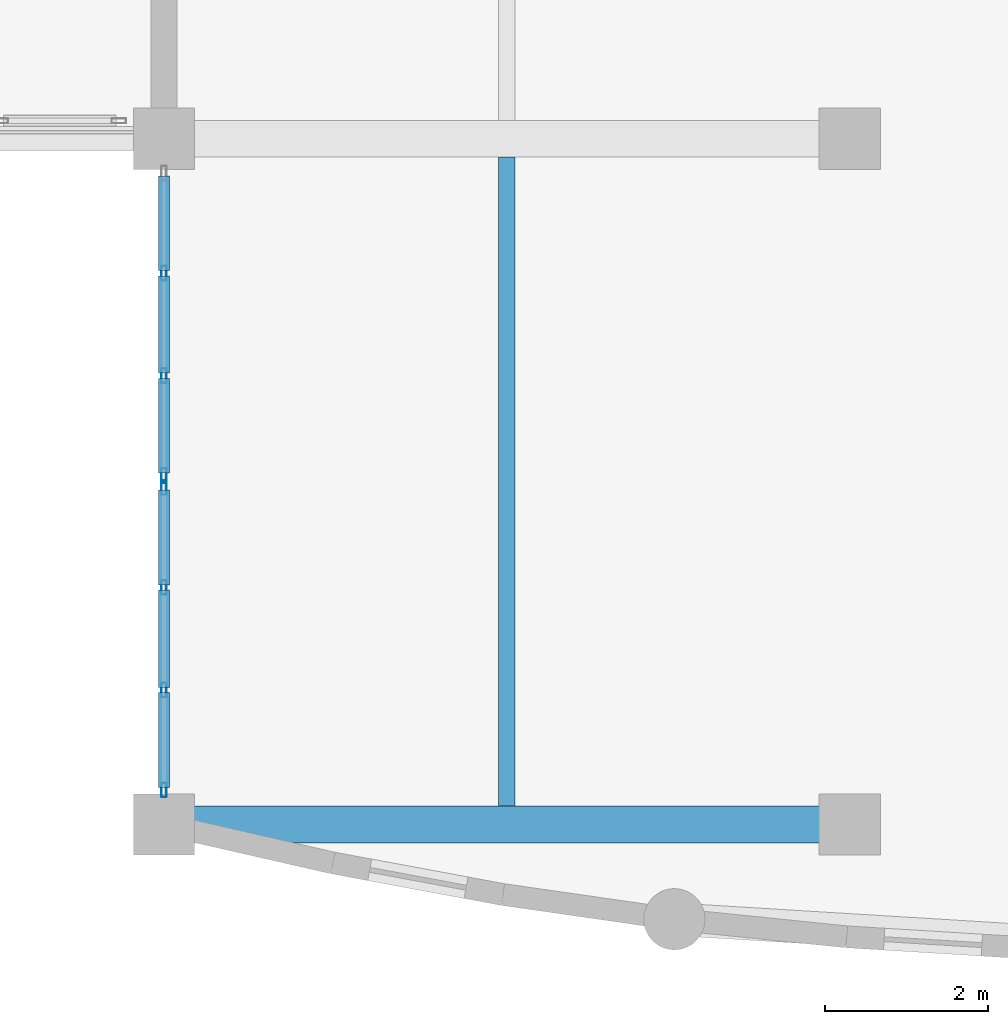
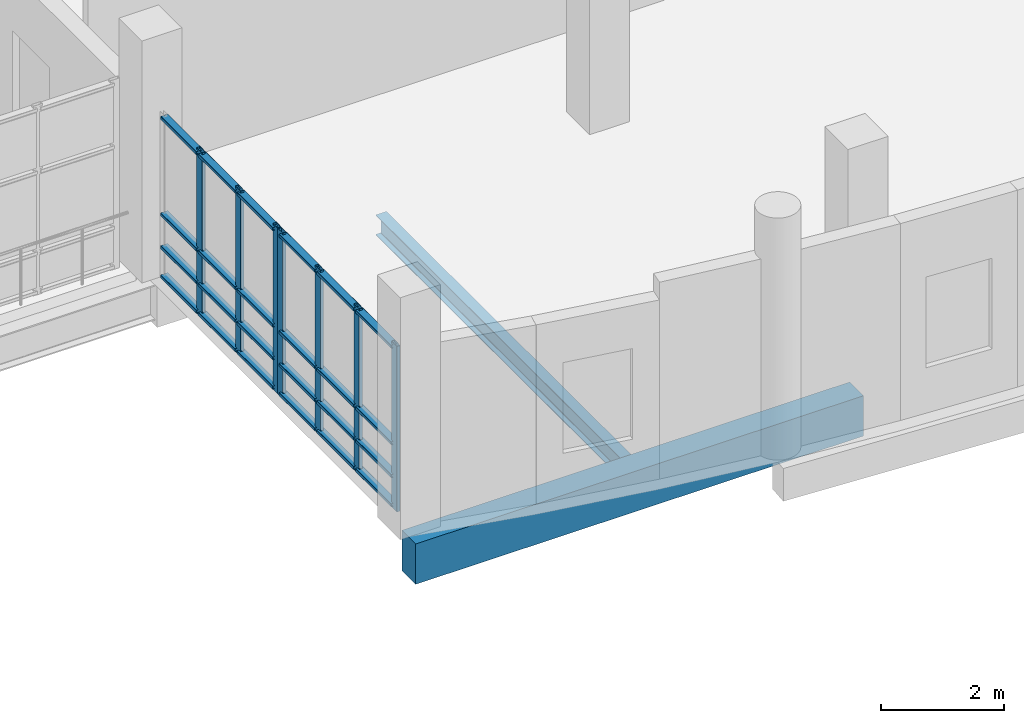
# One storey, part 32 of 106: 31 members, 2 beams, 2 elements without a shape of their own.
"""IFC4 building model written with IfcOpenShell, lengths in metres."""

from ifc_helpers import new_model, si_unit, direction, frame, origin, origin_2d, place, context, subcontext, project, spatial, rectangle, hollow_rectangle, i_section, extrude, material, layer, layer_set, material_profile, profile_set, type_object, element, aggregate, save


model = new_model("IFC4")

# Units and contexts
model_context = context("Model", 3, precision=1e-05, world=origin(), true_north=direction((0.0, 1.0)))
body_context = subcontext(model_context, "Body", "Model", "MODEL_VIEW")
ifc_project = project(units=[si_unit("LENGTHUNIT", "METRE"), si_unit("AREAUNIT", "SQUARE_METRE"), si_unit("VOLUMEUNIT", "CUBIC_METRE"), si_unit("PLANEANGLEUNIT", "RADIAN"), si_unit("MASSUNIT", "GRAM", prefix="KILO")], contexts=[model_context])

# Site, building, storey
site_placement = place(None, origin())
site = spatial("IfcSite", under=ifc_project, at=site_placement, CompositionType="ELEMENT")
building_placement = place(site_placement, origin())
building = spatial("IfcBuilding", under=site, at=building_placement, Name="Kisaragi Civic Commons", CompositionType="ELEMENT")
storey_placement = place(building_placement, frame((0.0, 0.0, 4.800048828125)))
storey = spatial("IfcBuildingStorey", under=building, at=storey_placement, Name="L01", CompositionType="ELEMENT", Elevation=4.800048828125)

# Curtain wall, members
ifc_material_1 = material(Name="Thermally broken anodized aluminium and low-E double glazing", Category="aluminium")
ifc_layer = layer(ifc_material_1, 0.179931640625, Name="Thermally broken anodized aluminium and low-E double glazing", Category="aluminium")
ifc_layer_set = layer_set([ifc_layer], Name="Thermally broken anodized aluminium and low-E double glazing")
curtain_wall_type = type_object("IfcCurtainWallType", Name="CW-01", PredefinedType="NOTDEFINED", material=ifc_layer_set)
curtain_wall_1_placement = place(storey_placement, origin())
curtain_wall_1 = element("IfcCurtainWall", 1, at=curtain_wall_1_placement, inside=storey, type_object=curtain_wall_type, Name="L01 curtain wall CW-01 CW-V4-L01-077", PredefinedType="NOTDEFINED")
ifc_material_profile_1 = material_profile(ifc_material_1, hollow_rectangle(XDim=0.06494140625, YDim=0.179931640625, WallThickness=0.00439453125, InnerFilletRadius=0.00439453125, OuterFilletRadius=0.009033203125, at=origin_2d()), Name="CWM-65x180x4.5", Category="aluminium")
ifc_profile_set_1 = profile_set([ifc_material_profile_1], Name="Thermally broken anodized aluminium and low-E double glazing")
member_type_1 = type_object("IfcMemberType", Name="CWM-02", PredefinedType="MULLION", material=ifc_profile_set_1)
member_1_placement = place(storey_placement, frame((72.0, 96.422607421875, 0.0), z_axis=(0.0, 0.0, 1.0), x_axis=(-1.0, 0.0, 0.0)))
member_1 = element("IfcMember", 2, at=member_1_placement, type_object=member_type_1, Name="CW-01 mullion 1", PredefinedType="MULLION", context=body_context, shape_type="SweptSolid", body=[
    extrude(hollow_rectangle(XDim=0.06494140625, YDim=0.179931640625, WallThickness=0.00439453125, InnerFilletRadius=0.00439453125, OuterFilletRadius=0.009033203125, at=origin_2d()), origin(), (0.0, 0.0, 1.0), 3.284912109375),
])
member_2_placement = place(storey_placement, frame((72.0, 97.646728515625, 0.0), z_axis=(0.0, 0.0, 1.0), x_axis=(-1.0, 0.0, 0.0)))
member_2 = element("IfcMember", 3, at=member_2_placement, type_object=member_type_1, Name="CW-01 mullion 2", PredefinedType="MULLION", context=body_context, shape_type="SweptSolid", body=[
    extrude(hollow_rectangle(XDim=0.06494140625, YDim=0.179931640625, WallThickness=0.00439453125, InnerFilletRadius=0.00439453125, OuterFilletRadius=0.009033203125, at=origin_2d()), origin(), (0.0, 0.0, 1.0), 3.284912109375),
])
member_3_placement = place(storey_placement, frame((72.0, 98.9033203125, 0.0), z_axis=(0.0, 0.0, 1.0), x_axis=(-1.0, 0.0, 0.0)))
member_3 = element("IfcMember", 4, at=member_3_placement, type_object=member_type_1, Name="CW-01 mullion 3", PredefinedType="MULLION", context=body_context, shape_type="SweptSolid", body=[
    extrude(hollow_rectangle(XDim=0.06494140625, YDim=0.179931640625, WallThickness=0.00439453125, InnerFilletRadius=0.00439453125, OuterFilletRadius=0.009033203125, at=origin_2d()), origin(), (0.0, 0.0, 1.0), 3.284912109375),
])
member_4_placement = place(storey_placement, frame((72.0, 100.12744140625, 0.0), z_axis=(0.0, 0.0, 1.0), x_axis=(-1.0, 0.0, 0.0)))
member_4 = element("IfcMember", 5, at=member_4_placement, type_object=member_type_1, Name="CW-01 mullion 4", PredefinedType="MULLION", context=body_context, shape_type="SweptSolid", body=[
    extrude(hollow_rectangle(XDim=0.06494140625, YDim=0.179931640625, WallThickness=0.00439453125, InnerFilletRadius=0.00439453125, OuterFilletRadius=0.009033203125, at=origin_2d()), origin(), (0.0, 0.0, 1.0), 3.284912109375),
])

curtain_wall_2_placement = place(storey_placement, origin())
curtain_wall_2 = element("IfcCurtainWall", 6, at=curtain_wall_2_placement, inside=storey, type_object=curtain_wall_type, Name="L01 curtain wall CW-01 CW-V4-L01-078", PredefinedType="NOTDEFINED")
member_5_placement = place(storey_placement, frame((72.0, 100.2724609375, 0.0), z_axis=(0.0, 0.0, 1.0), x_axis=(-1.0, 0.0, 0.0)))
member_5 = element("IfcMember", 7, at=member_5_placement, type_object=member_type_1, Name="CW-01 mullion 1", PredefinedType="MULLION", context=body_context, shape_type="SweptSolid", body=[
    extrude(hollow_rectangle(XDim=0.06494140625, YDim=0.179931640625, WallThickness=0.00439453125, InnerFilletRadius=0.00439453125, OuterFilletRadius=0.009033203125, at=origin_2d()), origin(), (0.0, 0.0, 1.0), 3.284912109375),
])
member_6_placement = place(storey_placement, frame((72.0, 101.49658203125, 0.0), z_axis=(0.0, 0.0, 1.0), x_axis=(-1.0, 0.0, 0.0)))
member_6 = element("IfcMember", 8, at=member_6_placement, type_object=member_type_1, Name="CW-01 mullion 2", PredefinedType="MULLION", context=body_context, shape_type="SweptSolid", body=[
    extrude(hollow_rectangle(XDim=0.06494140625, YDim=0.179931640625, WallThickness=0.00439453125, InnerFilletRadius=0.00439453125, OuterFilletRadius=0.009033203125, at=origin_2d()), origin(), (0.0, 0.0, 1.0), 3.284912109375),
])
member_7_placement = place(storey_placement, frame((72.0, 102.75341796875, 0.0), z_axis=(0.0, 0.0, 1.0), x_axis=(-1.0, 0.0, 0.0)))
member_7 = element("IfcMember", 9, at=member_7_placement, type_object=member_type_1, Name="CW-01 mullion 3", PredefinedType="MULLION", context=body_context, shape_type="SweptSolid", body=[
    extrude(hollow_rectangle(XDim=0.06494140625, YDim=0.179931640625, WallThickness=0.00439453125, InnerFilletRadius=0.00439453125, OuterFilletRadius=0.009033203125, at=origin_2d()), origin(), (0.0, 0.0, 1.0), 3.284912109375),
])

# Member
ifc_material_profile_2 = material_profile(ifc_material_1, hollow_rectangle(XDim=0.139892578125, YDim=0.06494140625, WallThickness=0.00439453125, InnerFilletRadius=0.00439453125, OuterFilletRadius=0.009033203125, at=origin_2d()), Name="CWT-65x140x4.5", Category="aluminium")
ifc_profile_set_2 = profile_set([ifc_material_profile_2], Name="Thermally broken anodized aluminium and low-E double glazing")
member_type_2 = type_object("IfcMemberType", Name="CWT-02", PredefinedType="USERDEFINED", material=ifc_profile_set_2)
member_8_placement = place(storey_placement, frame((72.0, 96.455078125, 0.070068359375), z_axis=(0.0, 1.0, 0.0), x_axis=(-1.0, 0.0, 0.0)))
member_8 = element("IfcMember", 10, at=member_8_placement, type_object=member_type_2, Name="CW-01 transom 1.1", ObjectType="TRANSOM", PredefinedType="USERDEFINED", context=body_context, shape_type="SweptSolid", body=[
    extrude(hollow_rectangle(XDim=0.139892578125, YDim=0.06494140625, WallThickness=0.00439453125, InnerFilletRadius=0.00439453125, OuterFilletRadius=0.009033203125, at=origin_2d()), origin(), (0.0, 0.0, 1.0), 1.1591796875),
])

member_9_placement = place(storey_placement, frame((72.0, 96.455078125, 0.64990234375), z_axis=(0.0, 1.0, 0.0), x_axis=(-1.0, 0.0, 0.0)))
member_9 = element("IfcMember", 11, at=member_9_placement, type_object=member_type_2, Name="CW-01 transom 1.2", ObjectType="TRANSOM", PredefinedType="USERDEFINED", context=body_context, shape_type="SweptSolid", body=[
    extrude(hollow_rectangle(XDim=0.139892578125, YDim=0.06494140625, WallThickness=0.00439453125, InnerFilletRadius=0.00439453125, OuterFilletRadius=0.009033203125, at=origin_2d()), origin(), (0.0, 0.0, 1.0), 1.1591796875),
])

member_10_placement = place(storey_placement, frame((72.0, 96.455078125, 1.300048828125), z_axis=(0.0, 1.0, 0.0), x_axis=(-1.0, 0.0, 0.0)))
member_10 = element("IfcMember", 12, at=member_10_placement, type_object=member_type_2, Name="CW-01 transom 1.3", ObjectType="TRANSOM", PredefinedType="USERDEFINED", context=body_context, shape_type="SweptSolid", body=[
    extrude(hollow_rectangle(XDim=0.139892578125, YDim=0.06494140625, WallThickness=0.00439453125, InnerFilletRadius=0.00439453125, OuterFilletRadius=0.009033203125, at=origin_2d()), origin(), (0.0, 0.0, 1.0), 1.1591796875),
])

member_11_placement = place(storey_placement, frame((72.0, 96.455078125, 3.21484375), z_axis=(0.0, 1.0, 0.0), x_axis=(-1.0, 0.0, 0.0)))
member_11 = element("IfcMember", 13, at=member_11_placement, type_object=member_type_2, Name="CW-01 transom 1.4", ObjectType="TRANSOM", PredefinedType="USERDEFINED", context=body_context, shape_type="SweptSolid", body=[
    extrude(hollow_rectangle(XDim=0.139892578125, YDim=0.06494140625, WallThickness=0.00439453125, InnerFilletRadius=0.00439453125, OuterFilletRadius=0.009033203125, at=origin_2d()), origin(), (0.0, 0.0, 1.0), 1.1591796875),
])

member_12_placement = place(storey_placement, frame((72.0, 97.67919921875, 0.070068359375), z_axis=(0.0, 1.0, 0.0), x_axis=(-1.0, 0.0, 0.0)))
member_12 = element("IfcMember", 14, at=member_12_placement, type_object=member_type_2, Name="CW-01 transom 2.1", ObjectType="TRANSOM", PredefinedType="USERDEFINED", context=body_context, shape_type="SweptSolid", body=[
    extrude(hollow_rectangle(XDim=0.139892578125, YDim=0.06494140625, WallThickness=0.00439453125, InnerFilletRadius=0.00439453125, OuterFilletRadius=0.009033203125, at=origin_2d()), origin(), (0.0, 0.0, 1.0), 1.191650390625),
])

member_13_placement = place(storey_placement, frame((72.0, 97.67919921875, 0.64990234375), z_axis=(0.0, 1.0, 0.0), x_axis=(-1.0, 0.0, 0.0)))
member_13 = element("IfcMember", 15, at=member_13_placement, type_object=member_type_2, Name="CW-01 transom 2.2", ObjectType="TRANSOM", PredefinedType="USERDEFINED", context=body_context, shape_type="SweptSolid", body=[
    extrude(hollow_rectangle(XDim=0.139892578125, YDim=0.06494140625, WallThickness=0.00439453125, InnerFilletRadius=0.00439453125, OuterFilletRadius=0.009033203125, at=origin_2d()), origin(), (0.0, 0.0, 1.0), 1.191650390625),
])

member_14_placement = place(storey_placement, frame((72.0, 97.67919921875, 1.300048828125), z_axis=(0.0, 1.0, 0.0), x_axis=(-1.0, 0.0, 0.0)))
member_14 = element("IfcMember", 16, at=member_14_placement, type_object=member_type_2, Name="CW-01 transom 2.3", ObjectType="TRANSOM", PredefinedType="USERDEFINED", context=body_context, shape_type="SweptSolid", body=[
    extrude(hollow_rectangle(XDim=0.139892578125, YDim=0.06494140625, WallThickness=0.00439453125, InnerFilletRadius=0.00439453125, OuterFilletRadius=0.009033203125, at=origin_2d()), origin(), (0.0, 0.0, 1.0), 1.191650390625),
])

member_15_placement = place(storey_placement, frame((72.0, 97.67919921875, 3.21484375), z_axis=(0.0, 1.0, 0.0), x_axis=(-1.0, 0.0, 0.0)))
member_15 = element("IfcMember", 17, at=member_15_placement, type_object=member_type_2, Name="CW-01 transom 2.4", ObjectType="TRANSOM", PredefinedType="USERDEFINED", context=body_context, shape_type="SweptSolid", body=[
    extrude(hollow_rectangle(XDim=0.139892578125, YDim=0.06494140625, WallThickness=0.00439453125, InnerFilletRadius=0.00439453125, OuterFilletRadius=0.009033203125, at=origin_2d()), origin(), (0.0, 0.0, 1.0), 1.191650390625),
])

member_16_placement = place(storey_placement, frame((72.0, 98.935791015625, 0.070068359375), z_axis=(0.0, 1.0, 0.0), x_axis=(-1.0, 0.0, 0.0)))
member_16 = element("IfcMember", 18, at=member_16_placement, type_object=member_type_2, Name="CW-01 transom 3.1", ObjectType="TRANSOM", PredefinedType="USERDEFINED", context=body_context, shape_type="SweptSolid", body=[
    extrude(hollow_rectangle(XDim=0.139892578125, YDim=0.06494140625, WallThickness=0.00439453125, InnerFilletRadius=0.00439453125, OuterFilletRadius=0.009033203125, at=origin_2d()), origin(), (0.0, 0.0, 1.0), 1.1591796875),
])

member_17_placement = place(storey_placement, frame((72.0, 98.935791015625, 0.64990234375), z_axis=(0.0, 1.0, 0.0), x_axis=(-1.0, 0.0, 0.0)))
member_17 = element("IfcMember", 19, at=member_17_placement, type_object=member_type_2, Name="CW-01 transom 3.2", ObjectType="TRANSOM", PredefinedType="USERDEFINED", context=body_context, shape_type="SweptSolid", body=[
    extrude(hollow_rectangle(XDim=0.139892578125, YDim=0.06494140625, WallThickness=0.00439453125, InnerFilletRadius=0.00439453125, OuterFilletRadius=0.009033203125, at=origin_2d()), origin(), (0.0, 0.0, 1.0), 1.1591796875),
])

member_18_placement = place(storey_placement, frame((72.0, 98.935791015625, 1.300048828125), z_axis=(0.0, 1.0, 0.0), x_axis=(-1.0, 0.0, 0.0)))
member_18 = element("IfcMember", 20, at=member_18_placement, type_object=member_type_2, Name="CW-01 transom 3.3", ObjectType="TRANSOM", PredefinedType="USERDEFINED", context=body_context, shape_type="SweptSolid", body=[
    extrude(hollow_rectangle(XDim=0.139892578125, YDim=0.06494140625, WallThickness=0.00439453125, InnerFilletRadius=0.00439453125, OuterFilletRadius=0.009033203125, at=origin_2d()), origin(), (0.0, 0.0, 1.0), 1.1591796875),
])

member_19_placement = place(storey_placement, frame((72.0, 98.935791015625, 3.21484375), z_axis=(0.0, 1.0, 0.0), x_axis=(-1.0, 0.0, 0.0)))
member_19 = element("IfcMember", 21, at=member_19_placement, type_object=member_type_2, Name="CW-01 transom 3.4", ObjectType="TRANSOM", PredefinedType="USERDEFINED", context=body_context, shape_type="SweptSolid", body=[
    extrude(hollow_rectangle(XDim=0.139892578125, YDim=0.06494140625, WallThickness=0.00439453125, InnerFilletRadius=0.00439453125, OuterFilletRadius=0.009033203125, at=origin_2d()), origin(), (0.0, 0.0, 1.0), 1.1591796875),
])

aggregate(curtain_wall_1, [member_1, member_2, member_3, member_4, member_8, member_9, member_10, member_11, member_12, member_13, member_14, member_15, member_16, member_17, member_18, member_19])

member_20_placement = place(storey_placement, frame((72.0, 100.304931640625, 0.070068359375), z_axis=(0.0, 1.0, 0.0), x_axis=(-1.0, 0.0, 0.0)))
member_20 = element("IfcMember", 22, at=member_20_placement, type_object=member_type_2, Name="CW-01 transom 1.1", ObjectType="TRANSOM", PredefinedType="USERDEFINED", context=body_context, shape_type="SweptSolid", body=[
    extrude(hollow_rectangle(XDim=0.139892578125, YDim=0.06494140625, WallThickness=0.00439453125, InnerFilletRadius=0.00439453125, OuterFilletRadius=0.009033203125, at=origin_2d()), origin(), (0.0, 0.0, 1.0), 1.1591796875),
])

member_21_placement = place(storey_placement, frame((72.0, 100.304931640625, 0.64990234375), z_axis=(0.0, 1.0, 0.0), x_axis=(-1.0, 0.0, 0.0)))
member_21 = element("IfcMember", 23, at=member_21_placement, type_object=member_type_2, Name="CW-01 transom 1.2", ObjectType="TRANSOM", PredefinedType="USERDEFINED", context=body_context, shape_type="SweptSolid", body=[
    extrude(hollow_rectangle(XDim=0.139892578125, YDim=0.06494140625, WallThickness=0.00439453125, InnerFilletRadius=0.00439453125, OuterFilletRadius=0.009033203125, at=origin_2d()), origin(), (0.0, 0.0, 1.0), 1.1591796875),
])

member_22_placement = place(storey_placement, frame((72.0, 100.304931640625, 1.300048828125), z_axis=(0.0, 1.0, 0.0), x_axis=(-1.0, 0.0, 0.0)))
member_22 = element("IfcMember", 24, at=member_22_placement, type_object=member_type_2, Name="CW-01 transom 1.3", ObjectType="TRANSOM", PredefinedType="USERDEFINED", context=body_context, shape_type="SweptSolid", body=[
    extrude(hollow_rectangle(XDim=0.139892578125, YDim=0.06494140625, WallThickness=0.00439453125, InnerFilletRadius=0.00439453125, OuterFilletRadius=0.009033203125, at=origin_2d()), origin(), (0.0, 0.0, 1.0), 1.1591796875),
])

member_23_placement = place(storey_placement, frame((72.0, 100.304931640625, 3.21484375), z_axis=(0.0, 1.0, 0.0), x_axis=(-1.0, 0.0, 0.0)))
member_23 = element("IfcMember", 25, at=member_23_placement, type_object=member_type_2, Name="CW-01 transom 1.4", ObjectType="TRANSOM", PredefinedType="USERDEFINED", context=body_context, shape_type="SweptSolid", body=[
    extrude(hollow_rectangle(XDim=0.139892578125, YDim=0.06494140625, WallThickness=0.00439453125, InnerFilletRadius=0.00439453125, OuterFilletRadius=0.009033203125, at=origin_2d()), origin(), (0.0, 0.0, 1.0), 1.1591796875),
])

member_24_placement = place(storey_placement, frame((72.0, 101.529052734375, 0.070068359375), z_axis=(0.0, 1.0, 0.0), x_axis=(-1.0, 0.0, 0.0)))
member_24 = element("IfcMember", 26, at=member_24_placement, type_object=member_type_2, Name="CW-01 transom 2.1", ObjectType="TRANSOM", PredefinedType="USERDEFINED", context=body_context, shape_type="SweptSolid", body=[
    extrude(hollow_rectangle(XDim=0.139892578125, YDim=0.06494140625, WallThickness=0.00439453125, InnerFilletRadius=0.00439453125, OuterFilletRadius=0.009033203125, at=origin_2d()), origin(), (0.0, 0.0, 1.0), 1.19189453125),
])

member_25_placement = place(storey_placement, frame((72.0, 101.529052734375, 0.64990234375), z_axis=(0.0, 1.0, 0.0), x_axis=(-1.0, 0.0, 0.0)))
member_25 = element("IfcMember", 27, at=member_25_placement, type_object=member_type_2, Name="CW-01 transom 2.2", ObjectType="TRANSOM", PredefinedType="USERDEFINED", context=body_context, shape_type="SweptSolid", body=[
    extrude(hollow_rectangle(XDim=0.139892578125, YDim=0.06494140625, WallThickness=0.00439453125, InnerFilletRadius=0.00439453125, OuterFilletRadius=0.009033203125, at=origin_2d()), origin(), (0.0, 0.0, 1.0), 1.19189453125),
])

member_26_placement = place(storey_placement, frame((72.0, 101.529052734375, 1.300048828125), z_axis=(0.0, 1.0, 0.0), x_axis=(-1.0, 0.0, 0.0)))
member_26 = element("IfcMember", 28, at=member_26_placement, type_object=member_type_2, Name="CW-01 transom 2.3", ObjectType="TRANSOM", PredefinedType="USERDEFINED", context=body_context, shape_type="SweptSolid", body=[
    extrude(hollow_rectangle(XDim=0.139892578125, YDim=0.06494140625, WallThickness=0.00439453125, InnerFilletRadius=0.00439453125, OuterFilletRadius=0.009033203125, at=origin_2d()), origin(), (0.0, 0.0, 1.0), 1.19189453125),
])

member_27_placement = place(storey_placement, frame((72.0, 101.529052734375, 3.21484375), z_axis=(0.0, 1.0, 0.0), x_axis=(-1.0, 0.0, 0.0)))
member_27 = element("IfcMember", 29, at=member_27_placement, type_object=member_type_2, Name="CW-01 transom 2.4", ObjectType="TRANSOM", PredefinedType="USERDEFINED", context=body_context, shape_type="SweptSolid", body=[
    extrude(hollow_rectangle(XDim=0.139892578125, YDim=0.06494140625, WallThickness=0.00439453125, InnerFilletRadius=0.00439453125, OuterFilletRadius=0.009033203125, at=origin_2d()), origin(), (0.0, 0.0, 1.0), 1.19189453125),
])

member_28_placement = place(storey_placement, frame((72.0, 102.785888671875, 0.070068359375), z_axis=(0.0, 1.0, 0.0), x_axis=(-1.0, 0.0, 0.0)))
member_28 = element("IfcMember", 30, at=member_28_placement, type_object=member_type_2, Name="CW-01 transom 3.1", ObjectType="TRANSOM", PredefinedType="USERDEFINED", context=body_context, shape_type="SweptSolid", body=[
    extrude(hollow_rectangle(XDim=0.139892578125, YDim=0.06494140625, WallThickness=0.00439453125, InnerFilletRadius=0.00439453125, OuterFilletRadius=0.009033203125, at=origin_2d()), origin(), (0.0, 0.0, 1.0), 1.1591796875),
])

member_29_placement = place(storey_placement, frame((72.0, 102.785888671875, 0.64990234375), z_axis=(0.0, 1.0, 0.0), x_axis=(-1.0, 0.0, 0.0)))
member_29 = element("IfcMember", 31, at=member_29_placement, type_object=member_type_2, Name="CW-01 transom 3.2", ObjectType="TRANSOM", PredefinedType="USERDEFINED", context=body_context, shape_type="SweptSolid", body=[
    extrude(hollow_rectangle(XDim=0.139892578125, YDim=0.06494140625, WallThickness=0.00439453125, InnerFilletRadius=0.00439453125, OuterFilletRadius=0.009033203125, at=origin_2d()), origin(), (0.0, 0.0, 1.0), 1.1591796875),
])

member_30_placement = place(storey_placement, frame((72.0, 102.785888671875, 1.300048828125), z_axis=(0.0, 1.0, 0.0), x_axis=(-1.0, 0.0, 0.0)))
member_30 = element("IfcMember", 32, at=member_30_placement, type_object=member_type_2, Name="CW-01 transom 3.3", ObjectType="TRANSOM", PredefinedType="USERDEFINED", context=body_context, shape_type="SweptSolid", body=[
    extrude(hollow_rectangle(XDim=0.139892578125, YDim=0.06494140625, WallThickness=0.00439453125, InnerFilletRadius=0.00439453125, OuterFilletRadius=0.009033203125, at=origin_2d()), origin(), (0.0, 0.0, 1.0), 1.1591796875),
])

member_31_placement = place(storey_placement, frame((72.0, 102.785888671875, 3.21484375), z_axis=(0.0, 1.0, 0.0), x_axis=(-1.0, 0.0, 0.0)))
member_31 = element("IfcMember", 33, at=member_31_placement, type_object=member_type_2, Name="CW-01 transom 3.4", ObjectType="TRANSOM", PredefinedType="USERDEFINED", context=body_context, shape_type="SweptSolid", body=[
    extrude(hollow_rectangle(XDim=0.139892578125, YDim=0.06494140625, WallThickness=0.00439453125, InnerFilletRadius=0.00439453125, OuterFilletRadius=0.009033203125, at=origin_2d()), origin(), (0.0, 0.0, 1.0), 1.1591796875),
])

aggregate(curtain_wall_2, [member_5, member_6, member_7, member_20, member_21, member_22, member_23, member_24, member_25, member_26, member_27, member_28, member_29, member_30, member_31])

# Beams
ifc_material_2 = material(Name="Concrete Fc30", Category="concrete")
ifc_material_profile_3 = material_profile(ifc_material_2, rectangle(XDim=0.449951171875, YDim=0.800048828125, at=origin_2d()), Name="RC-450x800", Category="concrete")
ifc_profile_set_3 = profile_set([ifc_material_profile_3], Name="Concrete Fc30")
beam_type_1 = type_object("IfcBeamType", Name="G-03", PredefinedType="BEAM", material=ifc_profile_set_3)
beam_1_placement = place(storey_placement, frame((72.0, 96.0, -0.705078125), z_axis=(1.0, 0.0, 0.0), x_axis=(0.0, 1.0, 0.0)))
element("IfcBeam", 34, at=beam_1_placement, inside=storey, type_object=beam_type_1, Name="L01 girder G-03 222", PredefinedType="BEAM", context=body_context, shape_type="SweptSolid", body=[
    extrude(rectangle(XDim=0.449951171875, YDim=0.800048828125, at=origin_2d()), origin(), (0.0, 0.0, 1.0), 8.39990234375),
])
ifc_material_3 = material(Name="Steel SN400 (SN400B)", Category="steel")
ifc_material_profile_4 = material_profile(ifc_material_3, i_section(OverallWidth=0.199951171875, OverallDepth=0.39990234375, WebThickness=0.008056640625, FlangeThickness=0.012939453125, FilletRadius=0.012939453125, at=origin_2d()), Name="H-400x200x8x13", Category="steel")
ifc_profile_set_4 = profile_set([ifc_material_profile_4], Name="Steel SN400 (SN400B)")
beam_type_2 = type_object("IfcBeamType", Name="J-01", PredefinedType="JOIST", material=ifc_profile_set_4)
beam_2_placement = place(storey_placement, frame((76.199951171875, 96.22509765625, -0.505126953125), z_axis=(0.0, 1.0, 0.0), x_axis=(-1.0, 0.0, 0.0)))
element("IfcBeam", 35, at=beam_2_placement, inside=storey, type_object=beam_type_2, Name="L01 secondary steel joist J-01 46", PredefinedType="JOIST", context=body_context, shape_type="SweptSolid", body=[
    extrude(i_section(OverallWidth=0.199951171875, OverallDepth=0.39990234375, WebThickness=0.008056640625, FlangeThickness=0.012939453125, FilletRadius=0.012939453125, at=origin_2d()), origin(), (0.0, 0.0, 1.0), 7.949951171875),
])

save(model, "model.ifc")
